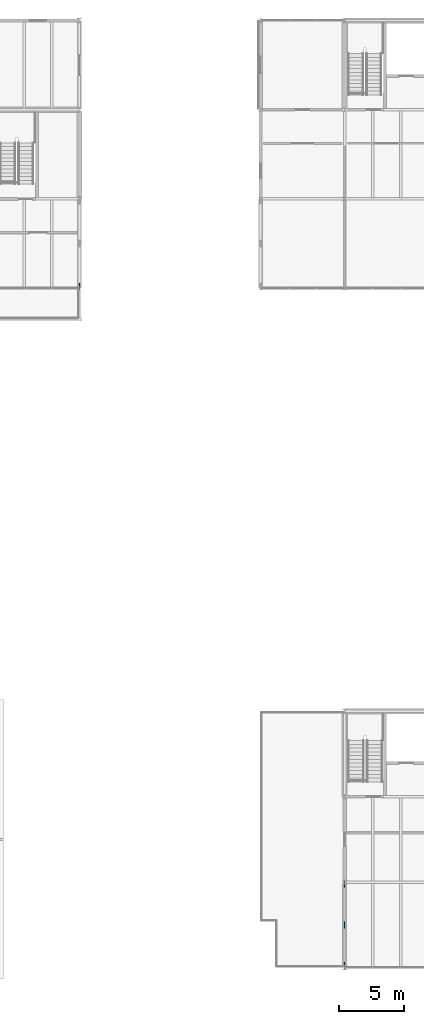
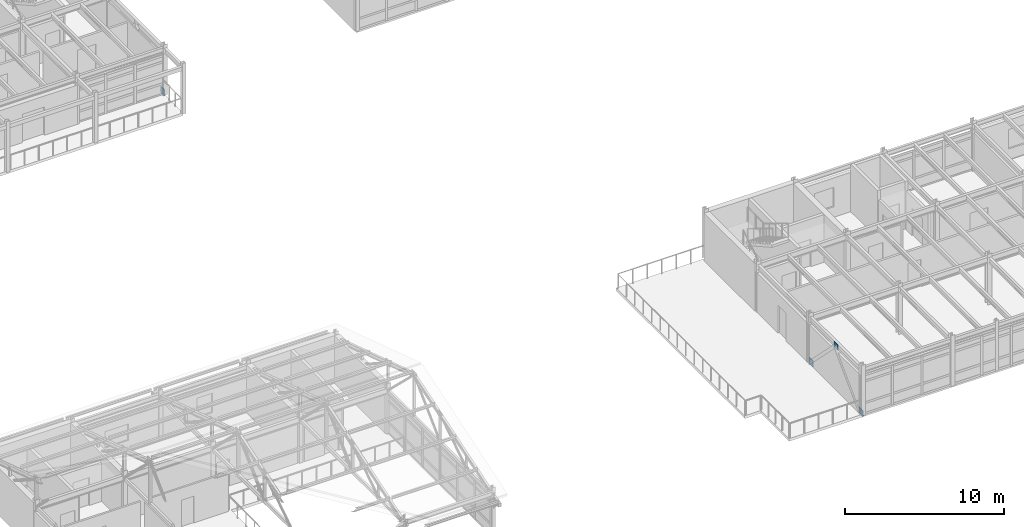
# One storey, part 44 of 57: 4 plates.
"""IFC4 building model written with IfcOpenShell, lengths in metres."""

from ifc_helpers import new_model, si_unit, direction, frame, origin, origin_2d, place, context, subcontext, project, spatial, rectangle, extrude, material, layer, layer_set, type_object, element, save


model = new_model("IFC4")

# Units and contexts
model_context = context("Model", 3, precision=1e-05, world=origin(), true_north=direction((0.0, 1.0)))
body_context = subcontext(model_context, "Body", "Model", "MODEL_VIEW")
ifc_project = project(units=[si_unit("LENGTHUNIT", "METRE"), si_unit("AREAUNIT", "SQUARE_METRE"), si_unit("VOLUMEUNIT", "CUBIC_METRE"), si_unit("PLANEANGLEUNIT", "RADIAN"), si_unit("MASSUNIT", "GRAM", prefix="KILO")], contexts=[model_context])

# Site, building, storey
site_placement = place(None, origin())
site = spatial("IfcSite", under=ifc_project, at=site_placement, CompositionType="ELEMENT")
building_placement = place(site_placement, origin())
building = spatial("IfcBuilding", under=site, at=building_placement, Name="Trelmorton Wharf Fire Station", CompositionType="ELEMENT")
storey_placement = place(building_placement, frame((0.0, 0.0, 13.5)))
storey = spatial("IfcBuildingStorey", under=building, at=storey_placement, Name="L03", CompositionType="ELEMENT", Elevation=13.5)

# Plates
ifc_material = material(Name="Steel Grade 350", Category="steel")
ifc_layer = layer(ifc_material, 0.050048828125)
ifc_layer_set = layer_set([ifc_layer], Name="Steel Grade 350")
plate_type = type_object("IfcPlateType", Name="PL_GUSSET_TN2", PredefinedType="USERDEFINED", material=ifc_layer_set)
for number, where, z_axis, x_axis, name in (
    (1, (110.5, 7.95458984375, -0.10498046875), (0.0, 0.0, 1.0), (1.0, 0.0, 0.0), "PL-CBF-0382"),
    (2, (110.5, 14.24560546875, -0.10498046875), (0.0, 0.0, 1.0), (1.0, 0.0, 0.0), "PL-CBF-0383"),
    (3, (110.5, 11.10009765625, 3.05517578125), (0.0, 0.0, 1.0), (1.0, 0.0, 0.0), "PL-CBF-0384"),
    (4, (90.0, 60.45458984375, -0.10498046875), (0.0, 0.0, 1.0), (1.0, 0.0, 0.0), "PL-CBF-0430"),
):
    element("IfcPlate", number, at=place(storey_placement, frame(where, z_axis=z_axis, x_axis=x_axis)), inside=storey, type_object=plate_type, Name=name, ObjectType="GUSSET PLATE", PredefinedType="USERDEFINED", context=body_context, shape_type="SweptSolid", body=[
        extrude(rectangle(XDim=0.050048828125, YDim=0.5, at=origin_2d()), origin(), (0.0, 0.0, 1.0), 0.449951171875),
    ])

save(model, "model.ifc")
